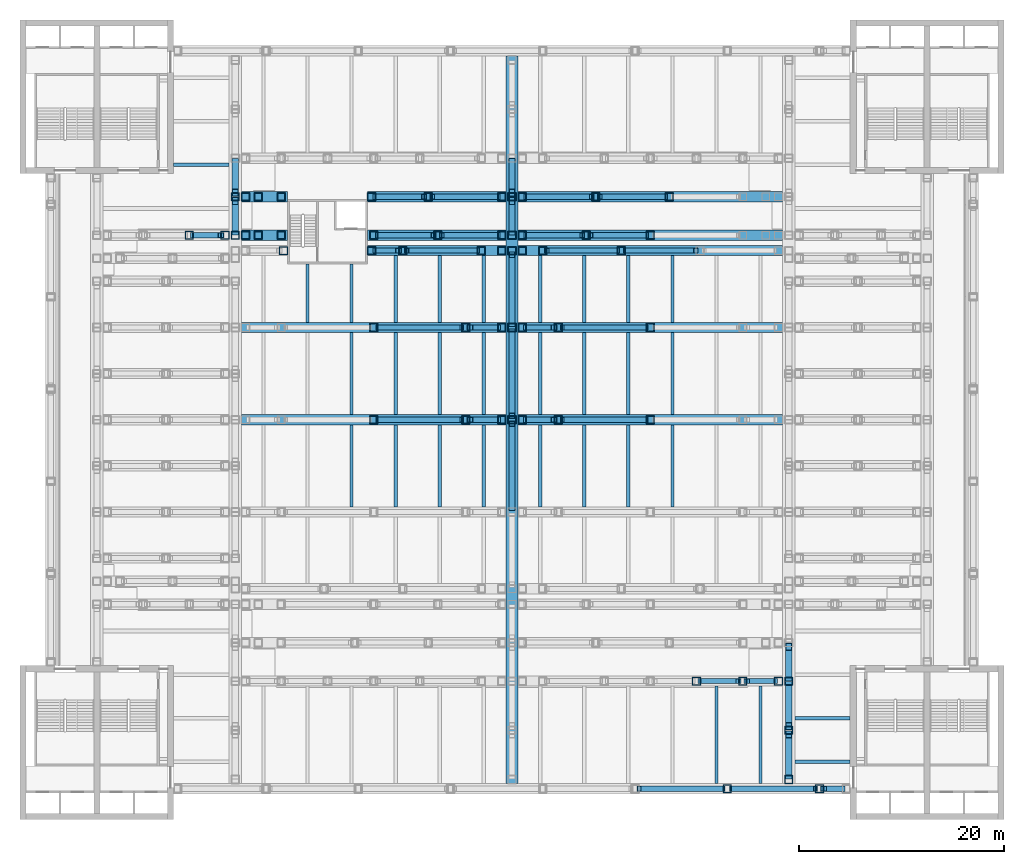
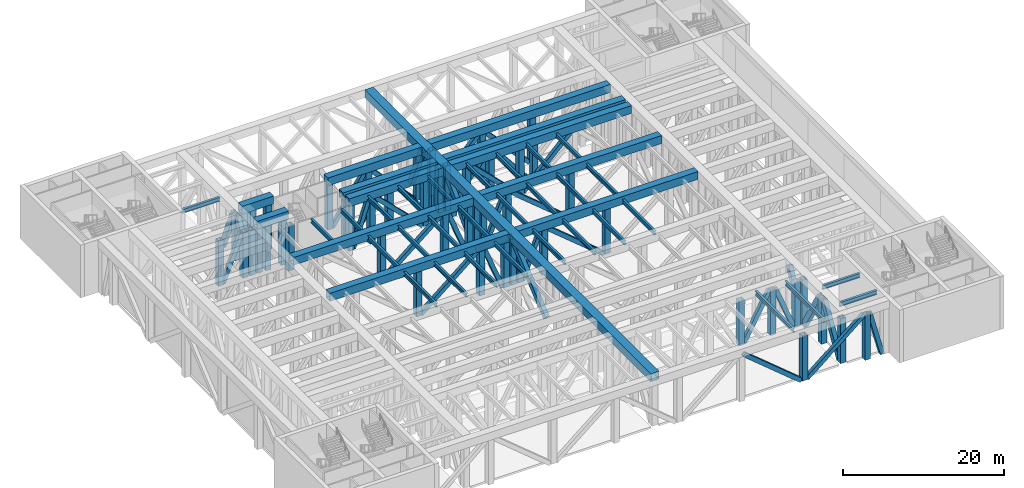
# One storey, part 3 of 20: 104 members, 30 beams.
"""IFC4 building model written with IfcOpenShell, lengths in metres."""

from ifc_helpers import new_model, si_unit, direction, frame, origin, origin_2d, place, context, subcontext, project, spatial, hollow_rectangle, i_section, extrude, material, material_profile, profile_set, type_object, element, save


model = new_model("IFC4")

# Units and contexts
model_context = context("Model", 3, precision=1e-05, world=origin(), true_north=direction((0.0, 1.0)))
body_context = subcontext(model_context, "Body", "Model", "MODEL_VIEW")
ifc_project = project(units=[si_unit("LENGTHUNIT", "METRE"), si_unit("AREAUNIT", "SQUARE_METRE"), si_unit("VOLUMEUNIT", "CUBIC_METRE"), si_unit("PLANEANGLEUNIT", "RADIAN"), si_unit("MASSUNIT", "GRAM", prefix="KILO")], contexts=[model_context])

# Site, building, storey
site_placement = place(None, origin())
site = spatial("IfcSite", under=ifc_project, at=site_placement, CompositionType="ELEMENT")
building_placement = place(site_placement, origin())
building = spatial("IfcBuilding", under=site, at=building_placement, Name="Corbelhall Arena Tower", CompositionType="ELEMENT")
storey_placement = place(building_placement, frame((0.0, 0.0, 52.0)))
storey = spatial("IfcBuildingStorey", under=building, at=storey_placement, Name="L07", CompositionType="ELEMENT", Elevation=52.0)

# Beams
ifc_material_1 = material(Name="Steel ASTM A992 Gr50", Category="steel")
ifc_material_profile_1 = material_profile(ifc_material_1, i_section(OverallWidth=0.323974609375, OverallDepth=0.611083984375, WebThickness=0.0126953125, FlangeThickness=0.01904296875, at=origin_2d()))
ifc_profile_set_1 = profile_set([ifc_material_profile_1], Name="Steel ASTM A992 Gr50")
beam_type = type_object("IfcBeamType", Name="PO-BEAM-W24X104", PredefinedType="BEAM", material=ifc_profile_set_1)
beam_placement = place(storey_placement, frame((-33.0, 24.875, 7.39453125), z_axis=(1.0, 0.0, 0.0), x_axis=(0.0, 1.0, 0.0)))
element("IfcBeam", 1, at=beam_placement, inside=storey, type_object=beam_type, Name="DECK BEAM TOP 13.2", PredefinedType="BEAM", context=body_context, shape_type="SweptSolid", body=[
    extrude(i_section(OverallWidth=0.323974609375, OverallDepth=0.611083984375, WebThickness=0.0126953125, FlangeThickness=0.01904296875, at=origin_2d()), origin(), (0.0, 0.0, 1.0), 5.39990234375),
])
for number, where, z_axis, x_axis, name in (
    (2, (-15.64990234375, -8.5, 7.284423828125), (0.0, 1.0, 0.0), (-1.0, 0.0, 0.0), "DECK BEAM TOP 22.3"),
    (3, (-11.35009765625, -8.5, 7.284423828125), (0.0, 1.0, 0.0), (-1.0, 0.0, 0.0), "DECK BEAM TOP 22.4"),
    (4, (-7.050048828125, -8.5, 7.284423828125), (0.0, 1.0, 0.0), (-1.0, 0.0, 0.0), "DECK BEAM TOP 22.5"),
    (5, (-2.75, -8.5, 7.284423828125), (0.0, 1.0, 0.0), (-1.0, 0.0, 0.0), "DECK BEAM TOP 22.6"),
    (6, (-15.64990234375, 0.5, 7.284423828125), (0.0, 1.0, 0.0), (-1.0, 0.0, 0.0), "DECK BEAM TOP 23.3"),
    (7, (-11.35009765625, 0.5, 7.284423828125), (0.0, 1.0, 0.0), (-1.0, 0.0, 0.0), "DECK BEAM TOP 23.4"),
    (8, (-7.050048828125, 0.5, 7.284423828125), (0.0, 1.0, 0.0), (-1.0, 0.0, 0.0), "DECK BEAM TOP 23.5"),
    (9, (-2.75, 0.5, 7.284423828125), (0.0, 1.0, 0.0), (-1.0, 0.0, 0.0), "DECK BEAM TOP 23.6"),
):
    element("IfcBeam", number, at=place(storey_placement, frame(where, z_axis=z_axis, x_axis=x_axis)), inside=storey, type_object=beam_type, Name=name, PredefinedType="BEAM", context=body_context, shape_type="SweptSolid", body=[
        extrude(i_section(OverallWidth=0.323974609375, OverallDepth=0.611083984375, WebThickness=0.0126953125, FlangeThickness=0.01904296875, at=origin_2d()), origin(), (0.0, 0.0, 1.0), 8.0),
    ])
for number, where, z_axis, x_axis, name in (
    (10, (-19.949951171875, 9.5, 7.284423828125), (0.0, 1.0, 0.0), (-1.0, 0.0, 0.0), "DECK BEAM TOP 25.2"),
    (11, (-15.64990234375, 9.5, 7.284423828125), (0.0, 1.0, 0.0), (-1.0, 0.0, 0.0), "DECK BEAM TOP 25.3"),
):
    element("IfcBeam", number, at=place(storey_placement, frame(where, z_axis=z_axis, x_axis=x_axis)), inside=storey, type_object=beam_type, Name=name, PredefinedType="BEAM", context=body_context, shape_type="SweptSolid", body=[
        extrude(i_section(OverallWidth=0.323974609375, OverallDepth=0.611083984375, WebThickness=0.0126953125, FlangeThickness=0.01904296875, at=origin_2d()), origin(), (0.0, 0.0, 1.0), 5.699951171875),
    ])
for number, where, z_axis, x_axis, name in (
    (12, (-11.35009765625, 9.5, 7.284423828125), (0.0, 1.0, 0.0), (-1.0, 0.0, 0.0), "DECK BEAM TOP 25.4"),
    (13, (-7.050048828125, 9.5, 7.284423828125), (0.0, 1.0, 0.0), (-1.0, 0.0, 0.0), "DECK BEAM TOP 25.5"),
    (14, (-2.75, 9.5, 7.284423828125), (0.0, 1.0, 0.0), (-1.0, 0.0, 0.0), "DECK BEAM TOP 25.6"),
):
    element("IfcBeam", number, at=place(storey_placement, frame(where, z_axis=z_axis, x_axis=x_axis)), inside=storey, type_object=beam_type, Name=name, PredefinedType="BEAM", context=body_context, shape_type="SweptSolid", body=[
        extrude(i_section(OverallWidth=0.323974609375, OverallDepth=0.611083984375, WebThickness=0.0126953125, FlangeThickness=0.01904296875, at=origin_2d()), origin(), (0.0, 0.0, 1.0), 6.5),
    ])
for number, where, z_axis, x_axis, name in (
    (15, (19.949951171875, -35.5, 7.39453125), (0.0, 1.0, 0.0), (-1.0, 0.0, 0.0), "DECK BEAM TOP 28.5"),
    (16, (24.25, -35.5, 7.39453125), (0.0, 1.0, 0.0), (-1.0, 0.0, 0.0), "DECK BEAM TOP 28.6"),
):
    element("IfcBeam", number, at=place(storey_placement, frame(where, z_axis=z_axis, x_axis=x_axis)), inside=storey, type_object=beam_type, Name=name, PredefinedType="BEAM", context=body_context, shape_type="SweptSolid", body=[
        extrude(i_section(OverallWidth=0.323974609375, OverallDepth=0.611083984375, WebThickness=0.0126953125, FlangeThickness=0.01904296875, at=origin_2d()), origin(), (0.0, 0.0, 1.0), 9.5),
    ])
for number, where, z_axis, x_axis, name in (
    (17, (2.75, -8.5, 7.284423828125), (0.0, 1.0, 0.0), (-1.0, 0.0, 0.0), "DECK BEAM TOP 33.1"),
    (18, (7.050048828125, -8.5, 7.284423828125), (0.0, 1.0, 0.0), (-1.0, 0.0, 0.0), "DECK BEAM TOP 33.2"),
    (19, (11.35009765625, -8.5, 7.284423828125), (0.0, 1.0, 0.0), (-1.0, 0.0, 0.0), "DECK BEAM TOP 33.3"),
    (20, (15.64990234375, -8.5, 7.284423828125), (0.0, 1.0, 0.0), (-1.0, 0.0, 0.0), "DECK BEAM TOP 33.4"),
    (21, (2.75, 0.5, 7.284423828125), (0.0, 1.0, 0.0), (-1.0, 0.0, 0.0), "DECK BEAM TOP 34.1"),
    (22, (7.050048828125, 0.5, 7.284423828125), (0.0, 1.0, 0.0), (-1.0, 0.0, 0.0), "DECK BEAM TOP 34.2"),
    (23, (11.35009765625, 0.5, 7.284423828125), (0.0, 1.0, 0.0), (-1.0, 0.0, 0.0), "DECK BEAM TOP 34.3"),
    (24, (15.64990234375, 0.5, 7.284423828125), (0.0, 1.0, 0.0), (-1.0, 0.0, 0.0), "DECK BEAM TOP 34.4"),
):
    element("IfcBeam", number, at=place(storey_placement, frame(where, z_axis=z_axis, x_axis=x_axis)), inside=storey, type_object=beam_type, Name=name, PredefinedType="BEAM", context=body_context, shape_type="SweptSolid", body=[
        extrude(i_section(OverallWidth=0.323974609375, OverallDepth=0.611083984375, WebThickness=0.0126953125, FlangeThickness=0.01904296875, at=origin_2d()), origin(), (0.0, 0.0, 1.0), 8.0),
    ])
for number, where, z_axis, x_axis, name in (
    (25, (2.75, 9.5, 7.284423828125), (0.0, 1.0, 0.0), (-1.0, 0.0, 0.0), "DECK BEAM TOP 35.1"),
    (26, (7.050048828125, 9.5, 7.284423828125), (0.0, 1.0, 0.0), (-1.0, 0.0, 0.0), "DECK BEAM TOP 35.2"),
    (27, (11.35009765625, 9.5, 7.284423828125), (0.0, 1.0, 0.0), (-1.0, 0.0, 0.0), "DECK BEAM TOP 35.3"),
    (28, (15.64990234375, 9.5, 7.284423828125), (0.0, 1.0, 0.0), (-1.0, 0.0, 0.0), "DECK BEAM TOP 35.4"),
):
    element("IfcBeam", number, at=place(storey_placement, frame(where, z_axis=z_axis, x_axis=x_axis)), inside=storey, type_object=beam_type, Name=name, PredefinedType="BEAM", context=body_context, shape_type="SweptSolid", body=[
        extrude(i_section(OverallWidth=0.323974609375, OverallDepth=0.611083984375, WebThickness=0.0126953125, FlangeThickness=0.01904296875, at=origin_2d()), origin(), (0.0, 0.0, 1.0), 6.5),
    ])
for number, where, z_axis, x_axis, name in (
    (29, (27.60009765625, -33.375, 7.39453125), (1.0, 0.0, 0.0), (0.0, 1.0, 0.0), "DECK BEAM TOP 40.1"),
    (30, (27.60009765625, -29.125, 7.39453125), (1.0, 0.0, 0.0), (0.0, 1.0, 0.0), "DECK BEAM TOP 40.2"),
):
    element("IfcBeam", number, at=place(storey_placement, frame(where, z_axis=z_axis, x_axis=x_axis)), inside=storey, type_object=beam_type, Name=name, PredefinedType="BEAM", context=body_context, shape_type="SweptSolid", body=[
        extrude(i_section(OverallWidth=0.323974609375, OverallDepth=0.611083984375, WebThickness=0.0126953125, FlangeThickness=0.01904296875, at=origin_2d()), origin(), (0.0, 0.0, 1.0), 5.39990234375),
    ])

# Members
ifc_material_2 = material(Name="Steel ASTM A572 Gr50", Category="steel")
ifc_material_profile_2 = material_profile(ifc_material_2, hollow_rectangle(XDim=0.5, YDim=0.60009765625, WallThickness=0.030029296875, at=origin_2d()))
ifc_profile_set_2 = profile_set([ifc_material_profile_2], Name="Steel ASTM A572 Gr50")
member_type_1 = type_object("IfcMemberType", Name="PO-BRACE-600X500X30", PredefinedType="BRACE", material=ifc_profile_set_2)
for number, where, z_axis, x_axis, name in (
    (31, (12.39990234375, -36.0, 6.800048828125), (0.769763178873, 0.0, -0.638329576669), (0.0, 1.0, 0.0), "TRUSS EDGE-S BRACE 2.6"),
    (32, (21.39990234375, -36.0, 0.0), (0.769763178873, 0.0, 0.638329576669), (0.0, 1.0, 0.0), "TRUSS EDGE-S BRACE 2.7"),
):
    element("IfcMember", number, at=place(storey_placement, frame(where, z_axis=z_axis, x_axis=x_axis)), inside=storey, type_object=member_type_1, Name=name, PredefinedType="BRACE", context=body_context, shape_type="SweptSolid", body=[
        extrude(hollow_rectangle(XDim=0.5, YDim=0.60009765625, WallThickness=0.030029296875, at=origin_2d()), origin(), (0.0, 0.0, 1.0), 10.65283203125),
    ])
member_1_placement = place(storey_placement, frame((30.39990234375, -36.0, 6.800048828125), z_axis=(0.255897330119, 0.0, -0.966703965254), x_axis=(0.0, 1.0, 0.0)))
element("IfcMember", 33, at=member_1_placement, inside=storey, type_object=member_type_1, Name="TRUSS EDGE-S BRACE 2.8", PredefinedType="BRACE", context=body_context, shape_type="SweptSolid", body=[
    extrude(hollow_rectangle(XDim=0.5, YDim=0.60009765625, WallThickness=0.030029296875, at=origin_2d()), origin(), (0.0, 0.0, 1.0), 7.0341796875),
])
member_2_placement = place(storey_placement, frame((18.39990234375, -25.5, 0.0), z_axis=(0.477963647565, 0.0, 0.878379617026), x_axis=(0.0, 1.0, 0.0)))
element("IfcMember", 34, at=member_2_placement, inside=storey, type_object=member_type_1, Name="TRUSS SEC-S25.50-2 BRACE 2.5", PredefinedType="BRACE", context=body_context, shape_type="SweptSolid", body=[
    extrude(hollow_rectangle(XDim=0.5, YDim=0.60009765625, WallThickness=0.030029296875, at=origin_2d()), origin(), (0.0, 0.0, 1.0), 7.74169921875),
])
member_3_placement = place(storey_placement, frame((22.89990234375, -25.5, 6.800048828125), z_axis=(0.369053718093, 0.0, -0.929408066008), x_axis=(0.0, 1.0, 0.0)))
element("IfcMember", 35, at=member_3_placement, inside=storey, type_object=member_type_1, Name="TRUSS SEC-S25.50-2 BRACE 2.6", PredefinedType="BRACE", context=body_context, shape_type="SweptSolid", body=[
    extrude(hollow_rectangle(XDim=0.5, YDim=0.60009765625, WallThickness=0.030029296875, at=origin_2d()), origin(), (0.0, 0.0, 1.0), 7.316650390625),
])
member_4_placement = place(storey_placement, frame((-13.10009765625, 0.0, 0.0), z_axis=(0.769763178873, 0.0, 0.638329576669), x_axis=(0.0, 1.0, 0.0)))
element("IfcMember", 36, at=member_4_placement, inside=storey, type_object=member_type_1, Name="TRUSS SEC-N00.00-1 BRACE 2.3", PredefinedType="BRACE", context=body_context, shape_type="SweptSolid", body=[
    extrude(hollow_rectangle(XDim=0.5, YDim=0.60009765625, WallThickness=0.030029296875, at=origin_2d()), origin(), (0.0, 0.0, 1.0), 10.65283203125),
])
for number, where, z_axis, x_axis, name in (
    (37, (-4.10009765625, 0.0, 6.800048828125), (0.369053718093, 0.0, -0.929408066008), (0.0, 1.0, 0.0), "TRUSS SEC-N00.00-1 BRACE 2.4"),
    (38, (1.39990234375, 0.0, 0.0), (0.369053718093, 0.0, 0.929408066008), (0.0, 1.0, 0.0), "TRUSS SEC-N00.00-2 BRACE 2.1"),
):
    element("IfcMember", number, at=place(storey_placement, frame(where, z_axis=z_axis, x_axis=x_axis)), inside=storey, type_object=member_type_1, Name=name, PredefinedType="BRACE", context=body_context, shape_type="SweptSolid", body=[
        extrude(hollow_rectangle(XDim=0.5, YDim=0.60009765625, WallThickness=0.030029296875, at=origin_2d()), origin(), (0.0, 0.0, 1.0), 7.316650390625),
    ])
for number, where, z_axis, x_axis, name in (
    (39, (4.89990234375, 0.0, 6.800048828125), (0.769763178873, 0.0, -0.638329576669), (0.0, 1.0, 0.0), "TRUSS SEC-N00.00-2 BRACE 2.2"),
    (40, (-13.10009765625, 9.0, 0.0), (0.769763178873, 0.0, 0.638329576669), (0.0, 1.0, 0.0), "TRUSS SEC-N09.00-1 BRACE 2.3"),
):
    element("IfcMember", number, at=place(storey_placement, frame(where, z_axis=z_axis, x_axis=x_axis)), inside=storey, type_object=member_type_1, Name=name, PredefinedType="BRACE", context=body_context, shape_type="SweptSolid", body=[
        extrude(hollow_rectangle(XDim=0.5, YDim=0.60009765625, WallThickness=0.030029296875, at=origin_2d()), origin(), (0.0, 0.0, 1.0), 10.65283203125),
    ])
for number, where, z_axis, x_axis, name in (
    (41, (-4.10009765625, 9.0, 6.800048828125), (0.369053718093, 0.0, -0.929408066008), (0.0, 1.0, 0.0), "TRUSS SEC-N09.00-1 BRACE 2.4"),
    (42, (1.39990234375, 9.0, 0.0), (0.369053718093, 0.0, 0.929408066008), (0.0, 1.0, 0.0), "TRUSS SEC-N09.00-2 BRACE 2.1"),
):
    element("IfcMember", number, at=place(storey_placement, frame(where, z_axis=z_axis, x_axis=x_axis)), inside=storey, type_object=member_type_1, Name=name, PredefinedType="BRACE", context=body_context, shape_type="SweptSolid", body=[
        extrude(hollow_rectangle(XDim=0.5, YDim=0.60009765625, WallThickness=0.030029296875, at=origin_2d()), origin(), (0.0, 0.0, 1.0), 7.316650390625),
    ])
member_5_placement = place(storey_placement, frame((4.89990234375, 9.0, 6.800048828125), z_axis=(0.769763178873, 0.0, -0.638329576669), x_axis=(0.0, 1.0, 0.0)))
element("IfcMember", 43, at=member_5_placement, inside=storey, type_object=member_type_1, Name="TRUSS SEC-N09.00-2 BRACE 2.2", PredefinedType="BRACE", context=body_context, shape_type="SweptSolid", body=[
    extrude(hollow_rectangle(XDim=0.5, YDim=0.60009765625, WallThickness=0.030029296875, at=origin_2d()), origin(), (0.0, 0.0, 1.0), 10.65283203125),
])
member_6_placement = place(storey_placement, frame((-13.300048828125, 16.5, 0.0), z_axis=(0.312039376895, 0.0, 0.950069169728), x_axis=(0.0, 1.0, 0.0)))
element("IfcMember", 44, at=member_6_placement, inside=storey, type_object=member_type_1, Name="TRUSS SEC-N16.50-1E BRACE 2.1", PredefinedType="BRACE", context=body_context, shape_type="SweptSolid", body=[
    extrude(hollow_rectangle(XDim=0.5, YDim=0.60009765625, WallThickness=0.030029296875, at=origin_2d()), origin(), (0.0, 0.0, 1.0), 7.157470703125),
])
for number, where, z_axis, x_axis, name in (
    (45, (-10.2666015625, 16.5, 6.800048828125), (0.71054677033, 0.0, -0.703649974898), (0.0, 1.0, 0.0), "TRUSS SEC-N16.50-1E BRACE 2.2"),
    (46, (3.39990234375, 16.5, 6.800048828125), (0.71054677033, 0.0, -0.703649974898), (0.0, 1.0, 0.0), "TRUSS SEC-N16.50-2 BRACE 2.2"),
    (47, (11.066650390625, 16.5, 0.0), (0.71054677033, 0.0, 0.703649974898), (0.0, 1.0, 0.0), "TRUSS SEC-N16.50-2 BRACE 2.3"),
):
    element("IfcMember", number, at=place(storey_placement, frame(where, z_axis=z_axis, x_axis=x_axis)), inside=storey, type_object=member_type_1, Name=name, PredefinedType="BRACE", context=body_context, shape_type="SweptSolid", body=[
        extrude(hollow_rectangle(XDim=0.5, YDim=0.60009765625, WallThickness=0.030029296875, at=origin_2d()), origin(), (0.0, 0.0, 1.0), 9.6640625),
    ])
member_7_placement = place(storey_placement, frame((-31.10009765625, 18.0, 0.0), z_axis=(0.369053718093, 0.0, 0.929408066008), x_axis=(0.0, 1.0, 0.0)))
element("IfcMember", 48, at=member_7_placement, inside=storey, type_object=member_type_1, Name="TRUSS SEC-N18.00-0 BRACE 2.3", PredefinedType="BRACE", context=body_context, shape_type="SweptSolid", body=[
    extrude(hollow_rectangle(XDim=0.5, YDim=0.60009765625, WallThickness=0.030029296875, at=origin_2d()), origin(), (0.0, 0.0, 1.0), 7.316650390625),
])
for number, where, z_axis, x_axis, name in (
    (49, (-13.10009765625, 18.0, 0.0), (0.625405411621, 0.0, 0.780299987899), (0.0, 1.0, 0.0), "TRUSS SEC-N18.00-1E BRACE 2.1"),
    (50, (-6.85009765625, 18.0, 6.800048828125), (0.625405411621, 0.0, -0.780299987899), (0.0, 1.0, 0.0), "TRUSS SEC-N18.00-1E BRACE 2.2"),
    (51, (1.39990234375, 18.0, 0.0), (0.625405411621, 0.0, 0.780299987899), (0.0, 1.0, 0.0), "TRUSS SEC-N18.00-2 BRACE 2.1"),
    (52, (7.64990234375, 18.0, 6.800048828125), (0.625405411621, 0.0, -0.780299987899), (0.0, 1.0, 0.0), "TRUSS SEC-N18.00-2 BRACE 2.2"),
):
    element("IfcMember", number, at=place(storey_placement, frame(where, z_axis=z_axis, x_axis=x_axis)), inside=storey, type_object=member_type_1, Name=name, PredefinedType="BRACE", context=body_context, shape_type="SweptSolid", body=[
        extrude(hollow_rectangle(XDim=0.5, YDim=0.60009765625, WallThickness=0.030029296875, at=origin_2d()), origin(), (0.0, 0.0, 1.0), 8.714599609375),
    ])
member_8_placement = place(storey_placement, frame((-13.300048828125, 21.75, 0.0), z_axis=(0.571302751259, 0.0, 0.820739402249), x_axis=(0.0, 1.0, 0.0)))
element("IfcMember", 53, at=member_8_placement, inside=storey, type_object=member_type_1, Name="TRUSS SEC-N21.75-1E BRACE 2.1", PredefinedType="BRACE", context=body_context, shape_type="SweptSolid", body=[
    extrude(hollow_rectangle(XDim=0.5, YDim=0.60009765625, WallThickness=0.030029296875, at=origin_2d()), origin(), (0.0, 0.0, 1.0), 8.28515625),
])
for number, where, z_axis, x_axis, name in (
    (54, (-7.7666015625, 21.75, 6.800048828125), (0.683464108742, 0.0, -0.729984117677), (0.0, 1.0, 0.0), "TRUSS SEC-N21.75-1E BRACE 2.2"),
    (55, (1.39990234375, 21.75, 0.0), (0.683464108742, 0.0, 0.729984117677), (0.0, 1.0, 0.0), "TRUSS SEC-N21.75-2 BRACE 2.1"),
    (56, (8.566650390625, 21.75, 6.800048828125), (0.683464108742, 0.0, -0.729984117677), (0.0, 1.0, 0.0), "TRUSS SEC-N21.75-2 BRACE 2.2"),
):
    element("IfcMember", number, at=place(storey_placement, frame(where, z_axis=z_axis, x_axis=x_axis)), inside=storey, type_object=member_type_1, Name=name, PredefinedType="BRACE", context=body_context, shape_type="SweptSolid", body=[
        extrude(hollow_rectangle(XDim=0.5, YDim=0.60009765625, WallThickness=0.030029296875, at=origin_2d()), origin(), (0.0, 0.0, 1.0), 9.3154296875),
    ])
ifc_material_profile_3 = material_profile(ifc_material_2, hollow_rectangle(XDim=0.60009765625, YDim=0.800048828125, WallThickness=0.0400390625, at=origin_2d()))
ifc_profile_set_3 = profile_set([ifc_material_profile_3], Name="Steel ASTM A572 Gr50")
member_type_2 = type_object("IfcMemberType", Name="PO-BRACE-800X600X40", PredefinedType="BRACE", material=ifc_profile_set_3)
for number, where, z_axis, x_axis, name in (
    (57, (-27.0, 18.39990234375, 0.0), (0.0, 0.398005781953, 0.917382906715), (-1.0, 0.0, 0.0), "TRUSS PRI--27.0 BRACE 2.17"),
    (58, (-27.0, 22.14990234375, 6.800048828125), (0.0, 0.398005781953, -0.917382906715), (-1.0, 0.0, 0.0), "TRUSS PRI--27.0 BRACE 2.18"),
):
    element("IfcMember", number, at=place(storey_placement, frame(where, z_axis=z_axis, x_axis=x_axis)), inside=storey, type_object=member_type_2, Name=name, PredefinedType="BRACE", context=body_context, shape_type="SweptSolid", body=[
        extrude(hollow_rectangle(XDim=0.60009765625, YDim=0.800048828125, WallThickness=0.0400390625, at=origin_2d()), origin(), (0.0, 0.0, 1.0), 7.412353515625),
    ])
for number, where, z_axis, x_axis, name in (
    (59, (0.0, -8.60009765625, 0.0), (0.0, 0.769763178873, 0.638329576669), (-1.0, 0.0, 0.0), "TRUSS PRI-+0.0 BRACE 2.7"),
    (60, (0.0, 0.39990234375, 6.800048828125), (0.0, 0.769763178873, -0.638329576669), (-1.0, 0.0, 0.0), "TRUSS PRI-+0.0 BRACE 2.8"),
):
    element("IfcMember", number, at=place(storey_placement, frame(where, z_axis=z_axis, x_axis=x_axis)), inside=storey, type_object=member_type_2, Name=name, PredefinedType="BRACE", context=body_context, shape_type="SweptSolid", body=[
        extrude(hollow_rectangle(XDim=0.60009765625, YDim=0.800048828125, WallThickness=0.0400390625, at=origin_2d()), origin(), (0.0, 0.0, 1.0), 10.65283203125),
    ])
member_9_placement = place(storey_placement, frame((0.0, 9.39990234375, 0.0), z_axis=(0.0, 0.701857522338, 0.712317357881), x_axis=(-1.0, 0.0, 0.0)))
element("IfcMember", 61, at=member_9_placement, inside=storey, type_object=member_type_2, Name="TRUSS PRI-+0.0 BRACE 2.9", PredefinedType="BRACE", context=body_context, shape_type="SweptSolid", body=[
    extrude(hollow_rectangle(XDim=0.60009765625, YDim=0.800048828125, WallThickness=0.0400390625, at=origin_2d()), origin(), (0.0, 0.0, 1.0), 9.54638671875),
])
for number, where, z_axis, x_axis, name in (
    (62, (0.0, 18.39990234375, 0.0), (0.0, 0.398005781953, 0.917382906715), (-1.0, 0.0, 0.0), "TRUSS PRI-+0.0 BRACE 2.11"),
    (63, (0.0, 22.14990234375, 6.800048828125), (0.0, 0.398005781953, -0.917382906715), (-1.0, 0.0, 0.0), "TRUSS PRI-+0.0 BRACE 2.12"),
):
    element("IfcMember", number, at=place(storey_placement, frame(where, z_axis=z_axis, x_axis=x_axis)), inside=storey, type_object=member_type_2, Name=name, PredefinedType="BRACE", context=body_context, shape_type="SweptSolid", body=[
        extrude(hollow_rectangle(XDim=0.60009765625, YDim=0.800048828125, WallThickness=0.0400390625, at=origin_2d()), origin(), (0.0, 0.0, 1.0), 7.412353515625),
    ])
for number, where, z_axis, x_axis, name in (
    (64, (27.0, -34.699951171875, 0.0), (0.0, 0.507017421779, 0.861935806202), (-1.0, 0.0, 0.0), "TRUSS PRI-+27.0 BRACE 2.1"),
    (65, (27.0, -29.89990234375, 6.800048828125), (0.0, 0.507017421779, -0.861935806202), (-1.0, 0.0, 0.0), "TRUSS PRI-+27.0 BRACE 2.2"),
):
    element("IfcMember", number, at=place(storey_placement, frame(where, z_axis=z_axis, x_axis=x_axis)), inside=storey, type_object=member_type_2, Name=name, PredefinedType="BRACE", context=body_context, shape_type="SweptSolid", body=[
        extrude(hollow_rectangle(XDim=0.60009765625, YDim=0.800048828125, WallThickness=0.0400390625, at=origin_2d()), origin(), (0.0, 0.0, 1.0), 7.88916015625),
    ])
member_10_placement = place(storey_placement, frame((27.0, -25.10009765625, 0.0), z_axis=(0.0, 0.398005781953, 0.917382906715), x_axis=(-1.0, 0.0, 0.0)))
element("IfcMember", 66, at=member_10_placement, inside=storey, type_object=member_type_2, Name="TRUSS PRI-+27.0 BRACE 2.3", PredefinedType="BRACE", context=body_context, shape_type="SweptSolid", body=[
    extrude(hollow_rectangle(XDim=0.60009765625, YDim=0.800048828125, WallThickness=0.0400390625, at=origin_2d()), origin(), (0.0, 0.0, 1.0), 7.412353515625),
])
ifc_material_profile_4 = material_profile(ifc_material_2, hollow_rectangle(XDim=1.0, YDim=1.199951171875, WallThickness=0.06005859375, at=origin_2d()))
ifc_profile_set_4 = profile_set([ifc_material_profile_4], Name="Steel ASTM A572 Gr50")
member_type_3 = type_object("IfcMemberType", Name="PO-CHORD-1200X1000X60", PredefinedType="CHORD", material=ifc_profile_set_4)
for number, where, z_axis, x_axis, name in (
    (67, (-26.39990234375, 0.0, 7.39990234375), (1.0, 0.0, 0.0), (0.0, 1.0, 0.0), "TRUSS SEC-N00.00-1 TOP CHORD"),
    (68, (0.60009765625, 0.0, 7.39990234375), (1.0, 0.0, 0.0), (0.0, 1.0, 0.0), "TRUSS SEC-N00.00-2 TOP CHORD"),
    (69, (-26.39990234375, 9.0, 7.39990234375), (1.0, 0.0, 0.0), (0.0, 1.0, 0.0), "TRUSS SEC-N09.00-1 TOP CHORD"),
    (70, (0.60009765625, 9.0, 7.39990234375), (1.0, 0.0, 0.0), (0.0, 1.0, 0.0), "TRUSS SEC-N09.00-2 TOP CHORD"),
):
    element("IfcMember", number, at=place(storey_placement, frame(where, z_axis=z_axis, x_axis=x_axis)), inside=storey, type_object=member_type_3, Name=name, PredefinedType="CHORD", context=body_context, shape_type="SweptSolid", body=[
        extrude(hollow_rectangle(XDim=1.0, YDim=1.199951171875, WallThickness=0.06005859375, at=origin_2d()), origin(), (0.0, 0.0, 1.0), 25.7998046875),
    ])
member_11_placement = place(storey_placement, frame((-14.10009765625, 16.5, 7.39990234375), z_axis=(1.0, 0.0, 0.0), x_axis=(0.0, 1.0, 0.0)))
element("IfcMember", 71, at=member_11_placement, inside=storey, type_object=member_type_3, Name="TRUSS SEC-N16.50-1E TOP CHORD", PredefinedType="CHORD", context=body_context, shape_type="SweptSolid", body=[
    extrude(hollow_rectangle(XDim=1.0, YDim=1.199951171875, WallThickness=0.06005859375, at=origin_2d()), origin(), (0.0, 0.0, 1.0), 13.5),
])
member_12_placement = place(storey_placement, frame((0.60009765625, 16.5, 7.39990234375), z_axis=(1.0, 0.0, 0.0), x_axis=(0.0, 1.0, 0.0)))
element("IfcMember", 72, at=member_12_placement, inside=storey, type_object=member_type_3, Name="TRUSS SEC-N16.50-2 TOP CHORD", PredefinedType="CHORD", context=body_context, shape_type="SweptSolid", body=[
    extrude(hollow_rectangle(XDim=1.0, YDim=1.199951171875, WallThickness=0.06005859375, at=origin_2d()), origin(), (0.0, 0.0, 1.0), 25.7998046875),
])
member_13_placement = place(storey_placement, frame((-26.39990234375, 18.0, 7.39990234375), z_axis=(1.0, 0.0, 0.0), x_axis=(0.0, 1.0, 0.0)))
element("IfcMember", 73, at=member_13_placement, inside=storey, type_object=member_type_3, Name="TRUSS SEC-N18.00-1W TOP CHORD", PredefinedType="CHORD", context=body_context, shape_type="SweptSolid", body=[
    extrude(hollow_rectangle(XDim=1.0, YDim=1.199951171875, WallThickness=0.06005859375, at=origin_2d()), origin(), (0.0, 0.0, 1.0), 4.5),
])
member_14_placement = place(storey_placement, frame((-14.10009765625, 18.0, 7.39990234375), z_axis=(1.0, 0.0, 0.0), x_axis=(0.0, 1.0, 0.0)))
element("IfcMember", 74, at=member_14_placement, inside=storey, type_object=member_type_3, Name="TRUSS SEC-N18.00-1E TOP CHORD", PredefinedType="CHORD", context=body_context, shape_type="SweptSolid", body=[
    extrude(hollow_rectangle(XDim=1.0, YDim=1.199951171875, WallThickness=0.06005859375, at=origin_2d()), origin(), (0.0, 0.0, 1.0), 13.5),
])
member_15_placement = place(storey_placement, frame((0.60009765625, 18.0, 7.39990234375), z_axis=(1.0, 0.0, 0.0), x_axis=(0.0, 1.0, 0.0)))
element("IfcMember", 75, at=member_15_placement, inside=storey, type_object=member_type_3, Name="TRUSS SEC-N18.00-2 TOP CHORD", PredefinedType="CHORD", context=body_context, shape_type="SweptSolid", body=[
    extrude(hollow_rectangle(XDim=1.0, YDim=1.199951171875, WallThickness=0.06005859375, at=origin_2d()), origin(), (0.0, 0.0, 1.0), 25.7998046875),
])
member_16_placement = place(storey_placement, frame((-26.39990234375, 21.75, 7.39990234375), z_axis=(1.0, 0.0, 0.0), x_axis=(0.0, 1.0, 0.0)))
element("IfcMember", 76, at=member_16_placement, inside=storey, type_object=member_type_3, Name="TRUSS SEC-N21.75-1W TOP CHORD", PredefinedType="CHORD", context=body_context, shape_type="SweptSolid", body=[
    extrude(hollow_rectangle(XDim=1.0, YDim=1.199951171875, WallThickness=0.06005859375, at=origin_2d()), origin(), (0.0, 0.0, 1.0), 4.5),
])
member_17_placement = place(storey_placement, frame((-14.10009765625, 21.75, 7.39990234375), z_axis=(1.0, 0.0, 0.0), x_axis=(0.0, 1.0, 0.0)))
element("IfcMember", 77, at=member_17_placement, inside=storey, type_object=member_type_3, Name="TRUSS SEC-N21.75-1E TOP CHORD", PredefinedType="CHORD", context=body_context, shape_type="SweptSolid", body=[
    extrude(hollow_rectangle(XDim=1.0, YDim=1.199951171875, WallThickness=0.06005859375, at=origin_2d()), origin(), (0.0, 0.0, 1.0), 13.5),
])
member_18_placement = place(storey_placement, frame((0.60009765625, 21.75, 7.39990234375), z_axis=(1.0, 0.0, 0.0), x_axis=(0.0, 1.0, 0.0)))
element("IfcMember", 78, at=member_18_placement, inside=storey, type_object=member_type_3, Name="TRUSS SEC-N21.75-2 TOP CHORD", PredefinedType="CHORD", context=body_context, shape_type="SweptSolid", body=[
    extrude(hollow_rectangle(XDim=1.0, YDim=1.199951171875, WallThickness=0.06005859375, at=origin_2d()), origin(), (0.0, 0.0, 1.0), 25.7998046875),
])
ifc_material_profile_5 = material_profile(ifc_material_2, hollow_rectangle(XDim=1.199951171875, YDim=1.199951171875, WallThickness=0.080078125, at=origin_2d()))
ifc_profile_set_5 = profile_set([ifc_material_profile_5], Name="Steel ASTM A572 Gr50")
member_type_4 = type_object("IfcMemberType", Name="PO-CHORD-1200X1200X80", PredefinedType="CHORD", material=ifc_profile_set_5)
member_19_placement = place(storey_placement, frame((0.0, -35.5, 7.39990234375), z_axis=(0.0, 1.0, 0.0), x_axis=(-1.0, 0.0, 0.0)))
element("IfcMember", 79, at=member_19_placement, inside=storey, type_object=member_type_4, Name="TRUSS PRI-+0.0 TOP CHORD", PredefinedType="CHORD", context=body_context, shape_type="SweptSolid", body=[
    extrude(hollow_rectangle(XDim=1.199951171875, YDim=1.199951171875, WallThickness=0.080078125, at=origin_2d()), origin(), (0.0, 0.0, 1.0), 71.0),
])
ifc_material_profile_6 = material_profile(ifc_material_2, hollow_rectangle(XDim=0.800048828125, YDim=0.800048828125, WallThickness=0.050048828125, at=origin_2d()))
ifc_profile_set_6 = profile_set([ifc_material_profile_6], Name="Steel ASTM A572 Gr50")
member_type_5 = type_object("IfcMemberType", Name="PO-POST-800", PredefinedType="POST", material=ifc_profile_set_6)
for number, where, z_axis, x_axis, name in (
    (80, (21.0, -36.0, 0.0), (0.0, 0.0, 1.0), (1.0, 0.0, 0.0), "TRUSS EDGE-S POST 2.7"),
    (81, (30.0, -36.0, 0.0), (0.0, 0.0, 1.0), (1.0, 0.0, 0.0), "TRUSS EDGE-S POST 2.8"),
    (82, (18.0, -25.5, 0.0), (0.0, 0.0, 1.0), (1.0, 0.0, 0.0), "TRUSS SEC-S25.50-2 POST 2.5"),
    (83, (22.5, -25.5, 0.0), (0.0, 0.0, 1.0), (1.0, 0.0, 0.0), "TRUSS SEC-S25.50-2 POST 2.6"),
    (84, (26.0, -25.5, 0.0), (0.0, 0.0, 1.0), (1.0, 0.0, 0.0), "TRUSS SEC-S25.50-2 POST 2.7"),
    (85, (-13.5, 0.0, 0.0), (0.0, 0.0, 1.0), (1.0, 0.0, 0.0), "TRUSS SEC-N00.00-1 POST 2.3"),
    (86, (-4.5, 0.0, 0.0), (0.0, 0.0, 1.0), (1.0, 0.0, 0.0), "TRUSS SEC-N00.00-1 POST 2.4"),
    (87, (-1.0, 0.0, 0.0), (0.0, 0.0, 1.0), (1.0, 0.0, 0.0), "TRUSS SEC-N00.00-1 POST 2.5"),
    (88, (1.0, 0.0, 0.0), (0.0, 0.0, 1.0), (1.0, 0.0, 0.0), "TRUSS SEC-N00.00-2 POST 2.1"),
    (89, (4.5, 0.0, 0.0), (0.0, 0.0, 1.0), (1.0, 0.0, 0.0), "TRUSS SEC-N00.00-2 POST 2.2"),
    (90, (13.5, 0.0, 0.0), (0.0, 0.0, 1.0), (1.0, 0.0, 0.0), "TRUSS SEC-N00.00-2 POST 2.3"),
    (91, (-13.5, 9.0, 0.0), (0.0, 0.0, 1.0), (1.0, 0.0, 0.0), "TRUSS SEC-N09.00-1 POST 2.3"),
    (92, (-4.5, 9.0, 0.0), (0.0, 0.0, 1.0), (1.0, 0.0, 0.0), "TRUSS SEC-N09.00-1 POST 2.4"),
    (93, (-1.0, 9.0, 0.0), (0.0, 0.0, 1.0), (1.0, 0.0, 0.0), "TRUSS SEC-N09.00-1 POST 2.5"),
    (94, (1.0, 9.0, 0.0), (0.0, 0.0, 1.0), (1.0, 0.0, 0.0), "TRUSS SEC-N09.00-2 POST 2.1"),
    (95, (4.5, 9.0, 0.0), (0.0, 0.0, 1.0), (1.0, 0.0, 0.0), "TRUSS SEC-N09.00-2 POST 2.2"),
    (96, (13.5, 9.0, 0.0), (0.0, 0.0, 1.0), (1.0, 0.0, 0.0), "TRUSS SEC-N09.00-2 POST 2.3"),
    (97, (-22.300048828125, 16.5, 0.0), (0.0, 0.0, 1.0), (1.0, 0.0, 0.0), "TRUSS SEC-N16.50-1W POST 2.2"),
    (98, (-13.699951171875, 16.5, 0.0), (0.0, 0.0, 1.0), (1.0, 0.0, 0.0), "TRUSS SEC-N16.50-1E POST 2.1"),
    (99, (-10.666748046875, 16.5, 0.0), (0.0, 0.0, 1.0), (1.0, 0.0, 0.0), "TRUSS SEC-N16.50-1E POST 2.2"),
    (100, (-3.0, 16.5, 0.0), (0.0, 0.0, 1.0), (1.0, 0.0, 0.0), "TRUSS SEC-N16.50-1E POST 2.3"),
    (101, (-1.0, 16.5, 0.0), (0.0, 0.0, 1.0), (1.0, 0.0, 0.0), "TRUSS SEC-N16.50-1E POST 2.4"),
    (102, (1.0, 16.5, 0.0), (0.0, 0.0, 1.0), (1.0, 0.0, 0.0), "TRUSS SEC-N16.50-2 POST 2.1"),
    (103, (3.0, 16.5, 0.0), (0.0, 0.0, 1.0), (1.0, 0.0, 0.0), "TRUSS SEC-N16.50-2 POST 2.2"),
    (104, (10.666748046875, 16.5, 0.0), (0.0, 0.0, 1.0), (1.0, 0.0, 0.0), "TRUSS SEC-N16.50-2 POST 2.3"),
    (105, (-31.5, 18.0, 0.0), (0.0, 0.0, 1.0), (1.0, 0.0, 0.0), "TRUSS SEC-N18.00-0 POST 2.3"),
    (106, (-28.0, 18.0, 0.0), (0.0, 0.0, 1.0), (1.0, 0.0, 0.0), "TRUSS SEC-N18.00-0 POST 2.4"),
    (107, (-26.0, 18.0, 0.0), (0.0, 0.0, 1.0), (1.0, 0.0, 0.0), "TRUSS SEC-N18.00-1W POST 2.1"),
    (108, (-24.75, 18.0, 0.0), (0.0, 0.0, 1.0), (1.0, 0.0, 0.0), "TRUSS SEC-N18.00-1W POST 2.2"),
    (109, (-22.5, 18.0, 0.0), (0.0, 0.0, 1.0), (1.0, 0.0, 0.0), "TRUSS SEC-N18.00-1W POST 2.3"),
    (110, (-13.5, 18.0, 0.0), (0.0, 0.0, 1.0), (1.0, 0.0, 0.0), "TRUSS SEC-N18.00-1E POST 2.1"),
    (111, (-7.25, 18.0, 0.0), (0.0, 0.0, 1.0), (1.0, 0.0, 0.0), "TRUSS SEC-N18.00-1E POST 2.2"),
    (112, (-1.0, 18.0, 0.0), (0.0, 0.0, 1.0), (1.0, 0.0, 0.0), "TRUSS SEC-N18.00-1E POST 2.3"),
    (113, (1.0, 18.0, 0.0), (0.0, 0.0, 1.0), (1.0, 0.0, 0.0), "TRUSS SEC-N18.00-2 POST 2.1"),
    (114, (7.25, 18.0, 0.0), (0.0, 0.0, 1.0), (1.0, 0.0, 0.0), "TRUSS SEC-N18.00-2 POST 2.2"),
    (115, (13.5, 18.0, 0.0), (0.0, 0.0, 1.0), (1.0, 0.0, 0.0), "TRUSS SEC-N18.00-2 POST 2.3"),
    (116, (-26.0, 21.75, 0.0), (0.0, 0.0, 1.0), (1.0, 0.0, 0.0), "TRUSS SEC-N21.75-1W POST 2.1"),
    (117, (-24.75, 21.75, 0.0), (0.0, 0.0, 1.0), (1.0, 0.0, 0.0), "TRUSS SEC-N21.75-1W POST 2.2"),
    (118, (-22.5, 21.75, 0.0), (0.0, 0.0, 1.0), (1.0, 0.0, 0.0), "TRUSS SEC-N21.75-1W POST 2.3"),
    (119, (-13.699951171875, 21.75, 0.0), (0.0, 0.0, 1.0), (1.0, 0.0, 0.0), "TRUSS SEC-N21.75-1E POST 2.1"),
    (120, (-8.166748046875, 21.75, 0.0), (0.0, 0.0, 1.0), (1.0, 0.0, 0.0), "TRUSS SEC-N21.75-1E POST 2.2"),
    (121, (-1.0, 21.75, 0.0), (0.0, 0.0, 1.0), (1.0, 0.0, 0.0), "TRUSS SEC-N21.75-1E POST 2.3"),
    (122, (1.0, 21.75, 0.0), (0.0, 0.0, 1.0), (1.0, 0.0, 0.0), "TRUSS SEC-N21.75-2 POST 2.1"),
    (123, (8.166748046875, 21.75, 0.0), (0.0, 0.0, 1.0), (1.0, 0.0, 0.0), "TRUSS SEC-N21.75-2 POST 2.2"),
    (124, (15.333251953125, 21.75, 0.0), (0.0, 0.0, 1.0), (1.0, 0.0, 0.0), "TRUSS SEC-N21.75-2 POST 2.3"),
    (125, (-27.0, 18.0, 0.0), (0.0, 0.0, 1.0), (1.0, 0.0, 0.0), "TRUSS PRI--27.0 POST 2.17"),
    (126, (-27.0, 21.75, 0.0), (0.0, 0.0, 1.0), (1.0, 0.0, 0.0), "TRUSS PRI--27.0 POST 2.18"),
    (127, (0.0, 0.0, 0.0), (0.0, 0.0, 1.0), (1.0, 0.0, 0.0), "TRUSS PRI-+0.0 POST 2.8"),
    (128, (0.0, 9.0, 0.0), (0.0, 0.0, 1.0), (1.0, 0.0, 0.0), "TRUSS PRI-+0.0 POST 2.9"),
    (129, (0.0, 16.5, 0.0), (0.0, 0.0, 1.0), (1.0, 0.0, 0.0), "TRUSS PRI-+0.0 POST 2.10"),
    (130, (0.0, 18.0, 0.0), (0.0, 0.0, 1.0), (1.0, 0.0, 0.0), "TRUSS PRI-+0.0 POST 2.11"),
    (131, (0.0, 21.75, 0.0), (0.0, 0.0, 1.0), (1.0, 0.0, 0.0), "TRUSS PRI-+0.0 POST 2.12"),
    (132, (27.0, -35.10009765625, 0.0), (0.0, 0.0, 1.0), (1.0, 0.0, 0.0), "TRUSS PRI-+27.0 POST 2.1"),
    (133, (27.0, -30.300048828125, 0.0), (0.0, 0.0, 1.0), (1.0, 0.0, 0.0), "TRUSS PRI-+27.0 POST 2.2"),
    (134, (27.0, -25.5, 0.0), (0.0, 0.0, 1.0), (1.0, 0.0, 0.0), "TRUSS PRI-+27.0 POST 2.3"),
):
    element("IfcMember", number, at=place(storey_placement, frame(where, z_axis=z_axis, x_axis=x_axis)), inside=storey, type_object=member_type_5, Name=name, PredefinedType="POST", context=body_context, shape_type="SweptSolid", body=[
        extrude(hollow_rectangle(XDim=0.800048828125, YDim=0.800048828125, WallThickness=0.050048828125, at=origin_2d()), origin(), (0.0, 0.0, 1.0), 6.800048828125),
    ])

save(model, "model.ifc")
